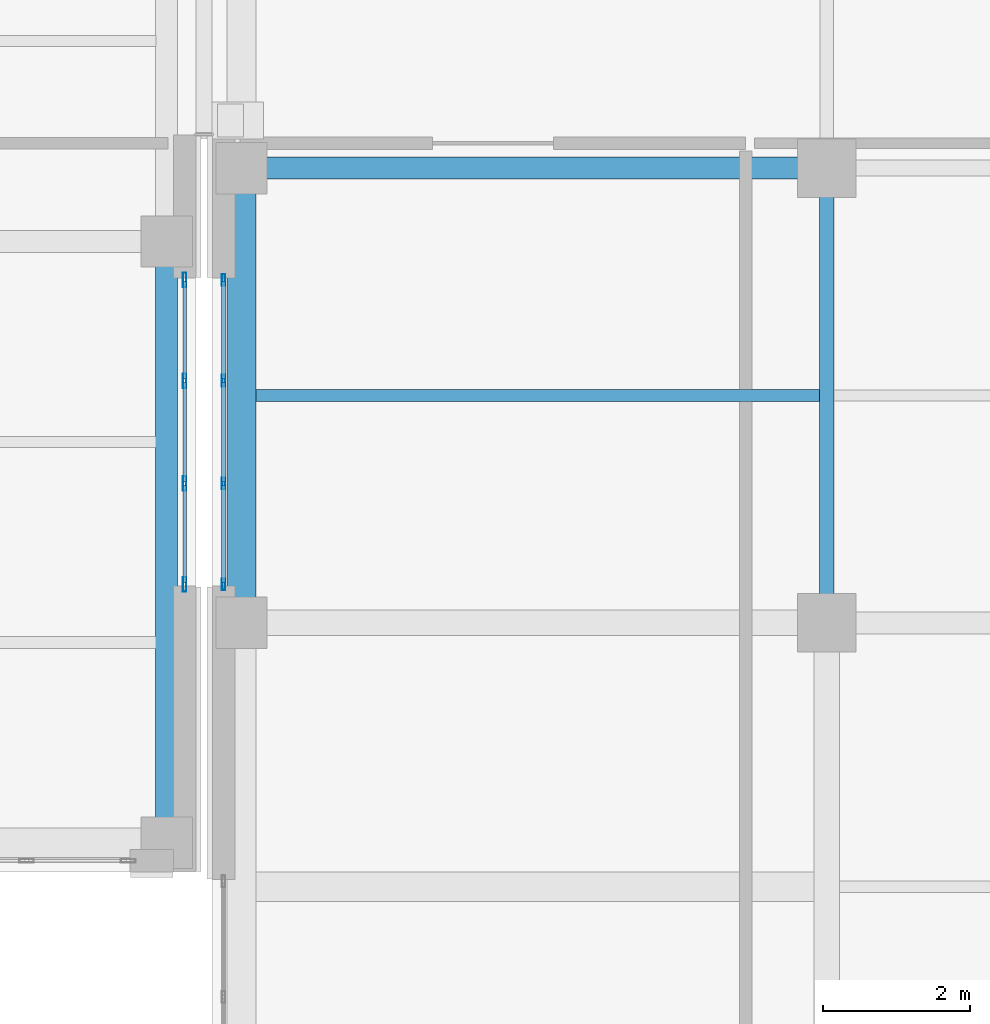
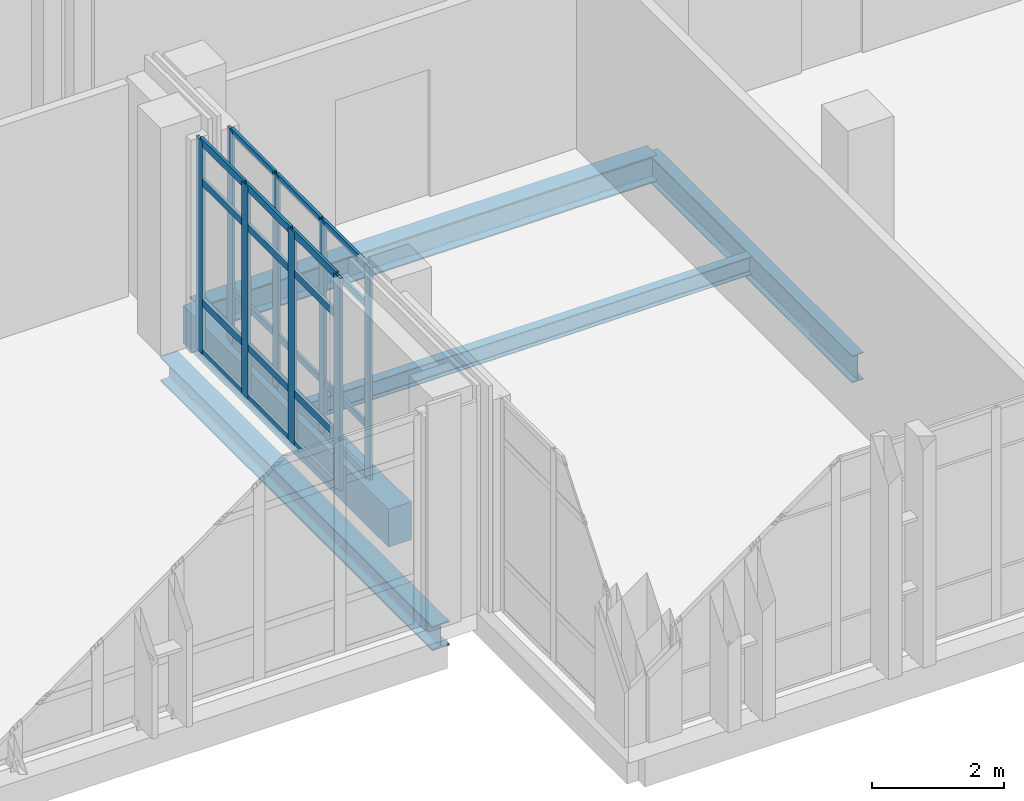
# One storey, part 48 of 193: 32 members, 5 beams, 2 elements without a shape of their own.
"""IFC4 building model written with IfcOpenShell, lengths in metres."""

import ifcopenshell
import ifcopenshell.guid

model = None  # the IFC model being written
_history = None  # IfcOwnerHistory: only IFC2X3 demands one
_inside = {}  # id of a spatial element -> (the spatial element, [elements in it])
_under = {}  # id of a project, library or spatial element -> (it, [spatial elements below it])
_declared = {}  # id of a project -> (the project, [libraries it declares])
_typed = {}  # id of a type object -> (the type object, [elements of that type])
_made_of = {}  # id of a material, layer set ... -> (it, [elements and type objects made of it])


def new_model(schema):
    """Start an empty IFC model of exactly this schema.

    Asked for "IFC4X3", IfcOpenShell would pick the latest addendum, in which some entities
    have other attributes; the version numbers below select the first issue.
    IFC2X3 requires an IfcOwnerHistory on every rooted entity: one is made here for all.
    """
    global model, _history
    if schema == "IFC4X3":
        model = ifcopenshell.file(schema_version=(4, 3, 0, 0))
    else:
        model = ifcopenshell.file(schema=schema)
    _inside.clear()
    _under.clear()
    _declared.clear()
    _typed.clear()
    _made_of.clear()
    _history = None
    if model.schema == "IFC2X3":
        org = make("IfcOrganization", Name="unknown")
        user = make(
            "IfcPersonAndOrganization",
            ThePerson=make("IfcPerson", FamilyName="unknown"),
            TheOrganization=org,
        )
        app = make(
            "IfcApplication",
            ApplicationDeveloper=org,
            Version="unknown",
            ApplicationFullName="unknown",
            ApplicationIdentifier="unknown",
        )
        _history = make(
            "IfcOwnerHistory",
            OwningUser=user,
            OwningApplication=app,
            ChangeAction="ADDED",
            CreationDate=0,
        )
    return model


def make(cls, **values):
    """One entity of the class cls with the attributes given. An attribute that is None is left unset."""
    return model.create_entity(
        cls, **{name: value for name, value in values.items() if value is not None}
    )


def rooted(cls, **values):
    """An entity with a GlobalId (a new one), such as an element, a storey or a relation."""
    return make(cls, GlobalId=ifcopenshell.guid.new(), OwnerHistory=_history, **values)


def si_unit(unit_type, name, prefix=None):
    """IfcSIUnit, for example si_unit("LENGTHUNIT", "METRE", prefix="MILLI")."""
    return make("IfcSIUnit", UnitType=unit_type, Prefix=prefix, Name=name)


def assignment(units):
    """IfcUnitAssignment: the units of a project."""
    return None if units is None else make("IfcUnitAssignment", Units=units)


def point(xyz):
    """IfcCartesianPoint."""
    return None if xyz is None else make("IfcCartesianPoint", Coordinates=xyz)


def direction(xyz):
    """IfcDirection."""
    return None if xyz is None else make("IfcDirection", DirectionRatios=xyz)


def frame(location, z_axis=None, x_axis=None):
    """IfcAxis2Placement3D, a coordinate frame: its origin and axes. An axis left out is left unset."""
    return make(
        "IfcAxis2Placement3D",
        Location=point(location),
        Axis=direction(z_axis),
        RefDirection=direction(x_axis),
    )


def frame_2d(location, x_axis=None):
    """IfcAxis2Placement2D, a coordinate frame in the plane: its origin and x axis."""
    return make(
        "IfcAxis2Placement2D", Location=point(location), RefDirection=direction(x_axis)
    )


def origin():
    """The frame at (0, 0, 0) with its axes left unset."""
    return frame((0.0, 0.0, 0.0))


def origin_2d():
    """The frame at (0, 0) in the plane with its x axis left unset."""
    return frame_2d((0.0, 0.0))


def place(relative_to, where):
    """IfcLocalPlacement: puts the frame where relative to a parent placement (None: the world)."""
    return make(
        "IfcLocalPlacement", PlacementRelTo=relative_to, RelativePlacement=where
    )


def context(
    kind, dimensions, precision=None, world=None, true_north=None, identifier=None
):
    """IfcGeometricRepresentationContext, for example the 3D "Model" context."""
    return make(
        "IfcGeometricRepresentationContext",
        ContextIdentifier=identifier,
        ContextType=kind,
        CoordinateSpaceDimension=dimensions,
        Precision=precision,
        WorldCoordinateSystem=world,
        TrueNorth=true_north,
    )


def subcontext(parent, identifier, kind, view, scale=None):
    """IfcGeometricRepresentationSubContext, for example "Body" below "Model"."""
    return make(
        "IfcGeometricRepresentationSubContext",
        ContextIdentifier=identifier,
        ContextType=kind,
        ParentContext=parent,
        TargetScale=scale,
        TargetView=view,
    )


def project(units=None, contexts=None):
    """IfcProject with its units and contexts."""
    return rooted(
        "IfcProject",
        Name="project",
        RepresentationContexts=contexts,
        UnitsInContext=assignment(units),
    )


def spatial(cls, under=None, at=None, **own):
    """A site, building, storey or space (cls), placed at a placement, below another one or the project."""
    s = rooted(cls, ObjectPlacement=at, **own)
    if under is not None:
        _under.setdefault(under.id(), (under, []))[1].append(s)
    return s


def profile(cls, at=None, kind="AREA", **sizes):
    """A parametric profile (cls). Its sizes go by their IFC names, for example OverallWidth=200.0."""
    return make(cls, ProfileType=kind, Position=at, **sizes)


def rectangle(**sizes):
    """IfcRectangleProfileDef."""
    return profile("IfcRectangleProfileDef", **sizes)


def hollow_rectangle(**sizes):
    """IfcRectangleHollowProfileDef."""
    return profile("IfcRectangleHollowProfileDef", **sizes)


def i_section(**sizes):
    """IfcIShapeProfileDef."""
    return profile("IfcIShapeProfileDef", **sizes)


def extrude(swept, where, along, depth):
    """IfcExtrudedAreaSolid: the profile swept, set in the frame where, extruded along a direction by depth."""
    return make(
        "IfcExtrudedAreaSolid",
        SweptArea=swept,
        Position=where,
        ExtrudedDirection=direction(along),
        Depth=depth,
    )


def shape(context_of_items, identifier, shape_type, items):
    """IfcShapeRepresentation: the items that make up one representation, for example the "Body"."""
    return make(
        "IfcShapeRepresentation",
        ContextOfItems=context_of_items,
        RepresentationIdentifier=identifier,
        RepresentationType=shape_type,
        Items=items,
    )


def material(Name=None, Category=None):
    """IfcMaterial."""
    return make("IfcMaterial", Name=Name, Category=Category)


def layer(
    of_material, thickness, ventilated=None, Name=None, Category=None, Priority=None
):
    """IfcMaterialLayer: one layer of a wall or slab, of a material (None: an air gap)."""
    return make(
        "IfcMaterialLayer",
        Material=of_material,
        LayerThickness=thickness,
        IsVentilated=ventilated,
        Name=Name,
        Category=Category,
        Priority=Priority,
    )


def layer_set(layers, Name=None):
    """IfcMaterialLayerSet."""
    return make("IfcMaterialLayerSet", MaterialLayers=layers, LayerSetName=Name)


def material_profile(
    of_material, cross_section, Name=None, Category=None, Priority=None
):
    """IfcMaterialProfile: a cross section and its material."""
    return make(
        "IfcMaterialProfile",
        Name=Name,
        Material=of_material,
        Profile=cross_section,
        Priority=Priority,
        Category=Category,
    )


def profile_set(profiles, Name=None, composite=None):
    """IfcMaterialProfileSet."""
    return make(
        "IfcMaterialProfileSet",
        Name=Name,
        MaterialProfiles=profiles,
        CompositeProfile=composite,
    )


def made_of(thing, what):
    """Note that an element or type object is made of a material, layer set ...; save() writes the relation."""
    if what is not None:
        _made_of.setdefault(what.id(), (what, []))[1].append(thing)
    return thing


def type_object(cls, material=None, **own):
    """A type object (cls), such as IfcWallType, which elements share."""
    return made_of(rooted(cls, **own), material)


def element(
    cls,
    number,
    at=None,
    inside=None,
    cuts=None,
    type_object=None,
    material=None,
    context=None,
    identifier="Body",
    shape_type=None,
    held_by="IfcProductDefinitionShape",
    body=None,
    shapes=None,
    **own,
):
    """One element of the class cls, such as IfcWall. Its Tag is "e" and its number.

    at: its placement. inside: the storey or other place that contains it. cuts: it is an
    opening in that element (IfcRelVoidsElement). A single representation is given by context,
    identifier, shape_type and body (its items); several are given by shapes. held_by: the class
    of the entity that holds the representations. save() writes the other relations.
    """
    e = rooted(cls, Tag="e%d" % number, ObjectPlacement=at, **own)
    if body is not None:
        shapes = [shape(context, identifier, shape_type, body)]
    if shapes is not None:
        e.Representation = make(held_by, Representations=shapes)
    if inside is not None:
        _inside.setdefault(inside.id(), (inside, []))[1].append(e)
    if cuts is not None:
        rooted(
            "IfcRelVoidsElement", RelatingBuildingElement=cuts, RelatedOpeningElement=e
        )
    if type_object is not None:
        _typed.setdefault(type_object.id(), (type_object, []))[1].append(e)
    return made_of(e, material)


def aggregate(whole, parts):
    """IfcRelAggregates: a whole, such as a stair, and the parts it consists of."""
    return rooted("IfcRelAggregates", RelatingObject=whole, RelatedObjects=parts)


def save(model, path):
    """Write the relations noted so far, then the file.

    IfcRelAggregates (storeys below a building ...), IfcRelContainedInSpatialStructure (elements
    in a storey), IfcRelDefinesByType, IfcRelAssociatesMaterial and IfcRelDeclares: one each for
    every whole, place, type object, material and project.
    """
    for whole, parts in _under.values():
        aggregate(whole, parts)
    for where, things in _inside.values():
        rooted(
            "IfcRelContainedInSpatialStructure",
            RelatedElements=things,
            RelatingStructure=where,
        )
    for kind, things in _typed.values():
        rooted("IfcRelDefinesByType", RelatedObjects=things, RelatingType=kind)
    for what, things in _made_of.values():
        rooted("IfcRelAssociatesMaterial", RelatedObjects=things, RelatingMaterial=what)
    for by, libraries in _declared.values():
        rooted("IfcRelDeclares", RelatingContext=by, RelatedDefinitions=libraries)
    model.write(path)


model = new_model("IFC4")

# Units and contexts
model_context = context("Model", 3, precision=1e-05, world=origin(), true_north=direction((0.0, 1.0)))
body_context = subcontext(model_context, "Body", "Model", "MODEL_VIEW")
ifc_project = project(units=[si_unit("LENGTHUNIT", "METRE"), si_unit("AREAUNIT", "SQUARE_METRE"), si_unit("VOLUMEUNIT", "CUBIC_METRE"), si_unit("PLANEANGLEUNIT", "RADIAN"), si_unit("MASSUNIT", "GRAM", prefix="KILO")], contexts=[model_context])

# Site, building, storey
site_placement = place(None, origin())
site = spatial("IfcSite", under=ifc_project, at=site_placement, CompositionType="ELEMENT")
building_placement = place(site_placement, origin())
building = spatial("IfcBuilding", under=site, at=building_placement, Name="Qalavern Law Courts", CompositionType="ELEMENT")
storey_placement = place(building_placement, frame((0.0, 0.0, 10.199951171875)))
storey = spatial("IfcBuildingStorey", under=building, at=storey_placement, Name="L02", CompositionType="ELEMENT", Elevation=10.199951171875)

# Curtain wall, members
ifc_material_1 = material(Name="Anodised aluminium and insulated glazing", Category="aluminium")
ifc_layer_1 = layer(ifc_material_1, 0.172119140625)
ifc_layer_set_1 = layer_set([ifc_layer_1], Name="Anodised aluminium and insulated glazing")
curtain_wall_type_1 = type_object("IfcCurtainWallType", Name="ENV-CW-COURT", PredefinedType="USERDEFINED", material=ifc_layer_set_1)
curtain_wall_1_placement = place(storey_placement, origin())
curtain_wall_1 = element("IfcCurtainWall", 1, at=curtain_wall_1_placement, inside=storey, type_object=curtain_wall_type_1, Name="V6 unitised curtain wall L02 west 1", ObjectType="UNITISED CURTAIN WALL", PredefinedType="USERDEFINED")
ifc_material_2 = material(Name="Anodised aluminium", Category="aluminium")
ifc_material_profile_1 = material_profile(ifc_material_2, hollow_rectangle(XDim=0.048095703125, YDim=0.159912109375, WallThickness=0.00390625, at=origin_2d()), Name="ALU MULLION 48x160")
ifc_profile_set_1 = profile_set([ifc_material_profile_1], Name="Anodised aluminium")
member_type_1 = type_object("IfcMemberType", Name="ENV-CWM-48x160", PredefinedType="MULLION", material=ifc_profile_set_1)
member_1_placement = place(storey_placement, frame((101.574951171875, 13.27587890625, 0.0), z_axis=(0.0, 0.0, 1.0), x_axis=(1.0, 0.0, 0.0)))
member_1 = element("IfcMember", 2, at=member_1_placement, type_object=member_type_1, Name="CW-03 mullion 1", PredefinedType="MULLION", context=body_context, shape_type="SweptSolid", body=[
    extrude(hollow_rectangle(XDim=0.048095703125, YDim=0.159912109375, WallThickness=0.00390625, at=origin_2d()), origin(), (0.0, 0.0, 1.0), 3.9150390625),
])
member_2_placement = place(storey_placement, frame((101.574951171875, 11.89990234375, 0.0), z_axis=(0.0, 0.0, 1.0), x_axis=(1.0, 0.0, 0.0)))
member_2 = element("IfcMember", 3, at=member_2_placement, type_object=member_type_1, Name="CW-03 mullion 2", PredefinedType="MULLION", context=body_context, shape_type="SweptSolid", body=[
    extrude(hollow_rectangle(XDim=0.048095703125, YDim=0.159912109375, WallThickness=0.00390625, at=origin_2d()), origin(), (0.0, 0.0, 1.0), 3.9150390625),
])
member_3_placement = place(storey_placement, frame((101.574951171875, 10.5, 0.0), z_axis=(0.0, 0.0, 1.0), x_axis=(1.0, 0.0, 0.0)))
member_3 = element("IfcMember", 4, at=member_3_placement, type_object=member_type_1, Name="CW-03 mullion 3", PredefinedType="MULLION", context=body_context, shape_type="SweptSolid", body=[
    extrude(hollow_rectangle(XDim=0.048095703125, YDim=0.159912109375, WallThickness=0.00390625, at=origin_2d()), origin(), (0.0, 0.0, 1.0), 3.9150390625),
])
member_4_placement = place(storey_placement, frame((101.574951171875, 9.1240234375, 0.0), z_axis=(0.0, 0.0, 1.0), x_axis=(1.0, 0.0, 0.0)))
member_4 = element("IfcMember", 5, at=member_4_placement, type_object=member_type_1, Name="CW-03 mullion 4", PredefinedType="MULLION", context=body_context, shape_type="SweptSolid", body=[
    extrude(hollow_rectangle(XDim=0.048095703125, YDim=0.159912109375, WallThickness=0.00390625, at=origin_2d()), origin(), (0.0, 0.0, 1.0), 3.9150390625),
])

ifc_layer_2 = layer(ifc_material_1, 0.18505859375)
ifc_layer_set_2 = layer_set([ifc_layer_2], Name="Anodised aluminium and insulated glazing")
curtain_wall_type_2 = type_object("IfcCurtainWallType", Name="ENV-CW-HALL", PredefinedType="USERDEFINED", material=ifc_layer_set_2)
curtain_wall_2_placement = place(storey_placement, origin())
curtain_wall_2 = element("IfcCurtainWall", 6, at=curtain_wall_2_placement, inside=storey, type_object=curtain_wall_type_2, Name="V2 unitised curtain wall L02 east 1", ObjectType="UNITISED CURTAIN WALL", PredefinedType="USERDEFINED")
ifc_material_profile_2 = material_profile(ifc_material_2, hollow_rectangle(XDim=0.048095703125, YDim=0.199951171875, WallThickness=0.00439453125, at=origin_2d()), Name="ALU MULLION 48x200")
ifc_profile_set_2 = profile_set([ifc_material_profile_2], Name="Anodised aluminium")
member_type_2 = type_object("IfcMemberType", Name="ENV-CWM-48x200", PredefinedType="MULLION", material=ifc_profile_set_2)
member_5_placement = place(storey_placement, frame((101.044921875, 9.1240234375, 0.0), z_axis=(0.0, 0.0, 1.0), x_axis=(-1.0, 0.0, 0.0)))
member_5 = element("IfcMember", 7, at=member_5_placement, type_object=member_type_2, Name="CW-02 mullion 1", PredefinedType="MULLION", context=body_context, shape_type="SweptSolid", body=[
    extrude(hollow_rectangle(XDim=0.048095703125, YDim=0.199951171875, WallThickness=0.00439453125, at=origin_2d()), origin(), (0.0, 0.0, 1.0), 3.9150390625),
])
member_6_placement = place(storey_placement, frame((101.044921875, 10.5, 0.0), z_axis=(0.0, 0.0, 1.0), x_axis=(-1.0, 0.0, 0.0)))
member_6 = element("IfcMember", 8, at=member_6_placement, type_object=member_type_2, Name="CW-02 mullion 2", PredefinedType="MULLION", context=body_context, shape_type="SweptSolid", body=[
    extrude(hollow_rectangle(XDim=0.048095703125, YDim=0.199951171875, WallThickness=0.00439453125, at=origin_2d()), origin(), (0.0, 0.0, 1.0), 3.9150390625),
])
member_7_placement = place(storey_placement, frame((101.044921875, 11.89990234375, 0.0), z_axis=(0.0, 0.0, 1.0), x_axis=(-1.0, 0.0, 0.0)))
member_7 = element("IfcMember", 9, at=member_7_placement, type_object=member_type_2, Name="CW-02 mullion 3", PredefinedType="MULLION", context=body_context, shape_type="SweptSolid", body=[
    extrude(hollow_rectangle(XDim=0.048095703125, YDim=0.199951171875, WallThickness=0.00439453125, at=origin_2d()), origin(), (0.0, 0.0, 1.0), 3.9150390625),
])
member_8_placement = place(storey_placement, frame((101.044921875, 13.27587890625, 0.0), z_axis=(0.0, 0.0, 1.0), x_axis=(-1.0, 0.0, 0.0)))
member_8 = element("IfcMember", 10, at=member_8_placement, type_object=member_type_2, Name="CW-02 mullion 4", PredefinedType="MULLION", context=body_context, shape_type="SweptSolid", body=[
    extrude(hollow_rectangle(XDim=0.048095703125, YDim=0.199951171875, WallThickness=0.00439453125, at=origin_2d()), origin(), (0.0, 0.0, 1.0), 3.9150390625),
])

# Member
ifc_material_profile_3 = material_profile(ifc_material_2, hollow_rectangle(XDim=0.048095703125, YDim=0.1201171875, WallThickness=0.00390625, at=origin_2d()), Name="ALU TRANSOM 48x120")
ifc_profile_set_3 = profile_set([ifc_material_profile_3], Name="Anodised aluminium")
member_type_3 = type_object("IfcMemberType", Name="ENV-CWT-48x120", PredefinedType="USERDEFINED", material=ifc_profile_set_3)
member_9_placement = place(storey_placement, frame((101.574951171875, 13.251953125, 0.024169921875), z_axis=(0.0, -1.0, 0.0), x_axis=(1.0, 0.0, 0.0)))
member_9 = element("IfcMember", 11, at=member_9_placement, type_object=member_type_3, Name="CW-03 transom 1.1", ObjectType="TRANSOM", PredefinedType="USERDEFINED", context=body_context, shape_type="SweptSolid", body=[
    extrude(hollow_rectangle(XDim=0.048095703125, YDim=0.1201171875, WallThickness=0.00390625, at=origin_2d()), origin(), (0.0, 0.0, 1.0), 1.327880859375),
])

member_10_placement = place(storey_placement, frame((101.574951171875, 13.251953125, 0.949951171875), z_axis=(0.0, -1.0, 0.0), x_axis=(1.0, 0.0, 0.0)))
member_10 = element("IfcMember", 12, at=member_10_placement, type_object=member_type_3, Name="CW-03 transom 1.2", ObjectType="TRANSOM", PredefinedType="USERDEFINED", context=body_context, shape_type="SweptSolid", body=[
    extrude(hollow_rectangle(XDim=0.048095703125, YDim=0.1201171875, WallThickness=0.00390625, at=origin_2d()), origin(), (0.0, 0.0, 1.0), 1.327880859375),
])

member_11_placement = place(storey_placement, frame((101.574951171875, 13.251953125, 3.1650390625), z_axis=(0.0, -1.0, 0.0), x_axis=(1.0, 0.0, 0.0)))
member_11 = element("IfcMember", 13, at=member_11_placement, type_object=member_type_3, Name="CW-03 transom 1.3", ObjectType="TRANSOM", PredefinedType="USERDEFINED", context=body_context, shape_type="SweptSolid", body=[
    extrude(hollow_rectangle(XDim=0.048095703125, YDim=0.1201171875, WallThickness=0.00390625, at=origin_2d()), origin(), (0.0, 0.0, 1.0), 1.327880859375),
])

member_12_placement = place(storey_placement, frame((101.574951171875, 13.251953125, 3.89111328125), z_axis=(0.0, -1.0, 0.0), x_axis=(1.0, 0.0, 0.0)))
member_12 = element("IfcMember", 14, at=member_12_placement, type_object=member_type_3, Name="CW-03 transom 1.4", ObjectType="TRANSOM", PredefinedType="USERDEFINED", context=body_context, shape_type="SweptSolid", body=[
    extrude(hollow_rectangle(XDim=0.048095703125, YDim=0.1201171875, WallThickness=0.00390625, at=origin_2d()), origin(), (0.0, 0.0, 1.0), 1.327880859375),
])

member_13_placement = place(storey_placement, frame((101.574951171875, 11.8759765625, 0.024169921875), z_axis=(0.0, -1.0, 0.0), x_axis=(1.0, 0.0, 0.0)))
member_13 = element("IfcMember", 15, at=member_13_placement, type_object=member_type_3, Name="CW-03 transom 2.1", ObjectType="TRANSOM", PredefinedType="USERDEFINED", context=body_context, shape_type="SweptSolid", body=[
    extrude(hollow_rectangle(XDim=0.048095703125, YDim=0.1201171875, WallThickness=0.00390625, at=origin_2d()), origin(), (0.0, 0.0, 1.0), 1.35205078125),
])

member_14_placement = place(storey_placement, frame((101.574951171875, 11.8759765625, 0.949951171875), z_axis=(0.0, -1.0, 0.0), x_axis=(1.0, 0.0, 0.0)))
member_14 = element("IfcMember", 16, at=member_14_placement, type_object=member_type_3, Name="CW-03 transom 2.2", ObjectType="TRANSOM", PredefinedType="USERDEFINED", context=body_context, shape_type="SweptSolid", body=[
    extrude(hollow_rectangle(XDim=0.048095703125, YDim=0.1201171875, WallThickness=0.00390625, at=origin_2d()), origin(), (0.0, 0.0, 1.0), 1.35205078125),
])

member_15_placement = place(storey_placement, frame((101.574951171875, 11.8759765625, 3.1650390625), z_axis=(0.0, -1.0, 0.0), x_axis=(1.0, 0.0, 0.0)))
member_15 = element("IfcMember", 17, at=member_15_placement, type_object=member_type_3, Name="CW-03 transom 2.3", ObjectType="TRANSOM", PredefinedType="USERDEFINED", context=body_context, shape_type="SweptSolid", body=[
    extrude(hollow_rectangle(XDim=0.048095703125, YDim=0.1201171875, WallThickness=0.00390625, at=origin_2d()), origin(), (0.0, 0.0, 1.0), 1.35205078125),
])

member_16_placement = place(storey_placement, frame((101.574951171875, 11.8759765625, 3.89111328125), z_axis=(0.0, -1.0, 0.0), x_axis=(1.0, 0.0, 0.0)))
member_16 = element("IfcMember", 18, at=member_16_placement, type_object=member_type_3, Name="CW-03 transom 2.4", ObjectType="TRANSOM", PredefinedType="USERDEFINED", context=body_context, shape_type="SweptSolid", body=[
    extrude(hollow_rectangle(XDim=0.048095703125, YDim=0.1201171875, WallThickness=0.00390625, at=origin_2d()), origin(), (0.0, 0.0, 1.0), 1.35205078125),
])

member_17_placement = place(storey_placement, frame((101.574951171875, 10.47607421875, 0.024169921875), z_axis=(0.0, -1.0, 0.0), x_axis=(1.0, 0.0, 0.0)))
member_17 = element("IfcMember", 19, at=member_17_placement, type_object=member_type_3, Name="CW-03 transom 3.1", ObjectType="TRANSOM", PredefinedType="USERDEFINED", context=body_context, shape_type="SweptSolid", body=[
    extrude(hollow_rectangle(XDim=0.048095703125, YDim=0.1201171875, WallThickness=0.00390625, at=origin_2d()), origin(), (0.0, 0.0, 1.0), 1.328125),
])

member_18_placement = place(storey_placement, frame((101.574951171875, 10.47607421875, 0.949951171875), z_axis=(0.0, -1.0, 0.0), x_axis=(1.0, 0.0, 0.0)))
member_18 = element("IfcMember", 20, at=member_18_placement, type_object=member_type_3, Name="CW-03 transom 3.2", ObjectType="TRANSOM", PredefinedType="USERDEFINED", context=body_context, shape_type="SweptSolid", body=[
    extrude(hollow_rectangle(XDim=0.048095703125, YDim=0.1201171875, WallThickness=0.00390625, at=origin_2d()), origin(), (0.0, 0.0, 1.0), 1.328125),
])

member_19_placement = place(storey_placement, frame((101.574951171875, 10.47607421875, 3.1650390625), z_axis=(0.0, -1.0, 0.0), x_axis=(1.0, 0.0, 0.0)))
member_19 = element("IfcMember", 21, at=member_19_placement, type_object=member_type_3, Name="CW-03 transom 3.3", ObjectType="TRANSOM", PredefinedType="USERDEFINED", context=body_context, shape_type="SweptSolid", body=[
    extrude(hollow_rectangle(XDim=0.048095703125, YDim=0.1201171875, WallThickness=0.00390625, at=origin_2d()), origin(), (0.0, 0.0, 1.0), 1.328125),
])

member_20_placement = place(storey_placement, frame((101.574951171875, 10.47607421875, 3.89111328125), z_axis=(0.0, -1.0, 0.0), x_axis=(1.0, 0.0, 0.0)))
member_20 = element("IfcMember", 22, at=member_20_placement, type_object=member_type_3, Name="CW-03 transom 3.4", ObjectType="TRANSOM", PredefinedType="USERDEFINED", context=body_context, shape_type="SweptSolid", body=[
    extrude(hollow_rectangle(XDim=0.048095703125, YDim=0.1201171875, WallThickness=0.00390625, at=origin_2d()), origin(), (0.0, 0.0, 1.0), 1.328125),
])

aggregate(curtain_wall_1, [member_1, member_2, member_3, member_4, member_9, member_10, member_11, member_12, member_13, member_14, member_15, member_16, member_17, member_18, member_19, member_20])

ifc_material_profile_4 = material_profile(ifc_material_2, hollow_rectangle(XDim=0.048095703125, YDim=0.139892578125, WallThickness=0.00390625, at=origin_2d()), Name="ALU TRANSOM 48x140")
ifc_profile_set_4 = profile_set([ifc_material_profile_4], Name="Anodised aluminium")
member_type_4 = type_object("IfcMemberType", Name="ENV-CWT-48x140", PredefinedType="USERDEFINED", material=ifc_profile_set_4)
member_21_placement = place(storey_placement, frame((101.044921875, 9.14794921875, 0.024169921875), z_axis=(0.0, 1.0, 0.0), x_axis=(-1.0, 0.0, 0.0)))
member_21 = element("IfcMember", 23, at=member_21_placement, type_object=member_type_4, Name="CW-02 transom 1.1", ObjectType="TRANSOM", PredefinedType="USERDEFINED", context=body_context, shape_type="SweptSolid", body=[
    extrude(hollow_rectangle(XDim=0.048095703125, YDim=0.139892578125, WallThickness=0.00390625, at=origin_2d()), origin(), (0.0, 0.0, 1.0), 1.328125),
])

member_22_placement = place(storey_placement, frame((101.044921875, 9.14794921875, 0.949951171875), z_axis=(0.0, 1.0, 0.0), x_axis=(-1.0, 0.0, 0.0)))
member_22 = element("IfcMember", 24, at=member_22_placement, type_object=member_type_4, Name="CW-02 transom 1.2", ObjectType="TRANSOM", PredefinedType="USERDEFINED", context=body_context, shape_type="SweptSolid", body=[
    extrude(hollow_rectangle(XDim=0.048095703125, YDim=0.139892578125, WallThickness=0.00390625, at=origin_2d()), origin(), (0.0, 0.0, 1.0), 1.328125),
])

member_23_placement = place(storey_placement, frame((101.044921875, 9.14794921875, 3.1650390625), z_axis=(0.0, 1.0, 0.0), x_axis=(-1.0, 0.0, 0.0)))
member_23 = element("IfcMember", 25, at=member_23_placement, type_object=member_type_4, Name="CW-02 transom 1.3", ObjectType="TRANSOM", PredefinedType="USERDEFINED", context=body_context, shape_type="SweptSolid", body=[
    extrude(hollow_rectangle(XDim=0.048095703125, YDim=0.139892578125, WallThickness=0.00390625, at=origin_2d()), origin(), (0.0, 0.0, 1.0), 1.328125),
])

member_24_placement = place(storey_placement, frame((101.044921875, 9.14794921875, 3.89111328125), z_axis=(0.0, 1.0, 0.0), x_axis=(-1.0, 0.0, 0.0)))
member_24 = element("IfcMember", 26, at=member_24_placement, type_object=member_type_4, Name="CW-02 transom 1.4", ObjectType="TRANSOM", PredefinedType="USERDEFINED", context=body_context, shape_type="SweptSolid", body=[
    extrude(hollow_rectangle(XDim=0.048095703125, YDim=0.139892578125, WallThickness=0.00390625, at=origin_2d()), origin(), (0.0, 0.0, 1.0), 1.328125),
])

member_25_placement = place(storey_placement, frame((101.044921875, 10.52392578125, 0.024169921875), z_axis=(0.0, 1.0, 0.0), x_axis=(-1.0, 0.0, 0.0)))
member_25 = element("IfcMember", 27, at=member_25_placement, type_object=member_type_4, Name="CW-02 transom 2.1", ObjectType="TRANSOM", PredefinedType="USERDEFINED", context=body_context, shape_type="SweptSolid", body=[
    extrude(hollow_rectangle(XDim=0.048095703125, YDim=0.139892578125, WallThickness=0.00390625, at=origin_2d()), origin(), (0.0, 0.0, 1.0), 1.35205078125),
])

member_26_placement = place(storey_placement, frame((101.044921875, 10.52392578125, 0.949951171875), z_axis=(0.0, 1.0, 0.0), x_axis=(-1.0, 0.0, 0.0)))
member_26 = element("IfcMember", 28, at=member_26_placement, type_object=member_type_4, Name="CW-02 transom 2.2", ObjectType="TRANSOM", PredefinedType="USERDEFINED", context=body_context, shape_type="SweptSolid", body=[
    extrude(hollow_rectangle(XDim=0.048095703125, YDim=0.139892578125, WallThickness=0.00390625, at=origin_2d()), origin(), (0.0, 0.0, 1.0), 1.35205078125),
])

member_27_placement = place(storey_placement, frame((101.044921875, 10.52392578125, 3.1650390625), z_axis=(0.0, 1.0, 0.0), x_axis=(-1.0, 0.0, 0.0)))
member_27 = element("IfcMember", 29, at=member_27_placement, type_object=member_type_4, Name="CW-02 transom 2.3", ObjectType="TRANSOM", PredefinedType="USERDEFINED", context=body_context, shape_type="SweptSolid", body=[
    extrude(hollow_rectangle(XDim=0.048095703125, YDim=0.139892578125, WallThickness=0.00390625, at=origin_2d()), origin(), (0.0, 0.0, 1.0), 1.35205078125),
])

member_28_placement = place(storey_placement, frame((101.044921875, 10.52392578125, 3.89111328125), z_axis=(0.0, 1.0, 0.0), x_axis=(-1.0, 0.0, 0.0)))
member_28 = element("IfcMember", 30, at=member_28_placement, type_object=member_type_4, Name="CW-02 transom 2.4", ObjectType="TRANSOM", PredefinedType="USERDEFINED", context=body_context, shape_type="SweptSolid", body=[
    extrude(hollow_rectangle(XDim=0.048095703125, YDim=0.139892578125, WallThickness=0.00390625, at=origin_2d()), origin(), (0.0, 0.0, 1.0), 1.35205078125),
])

member_29_placement = place(storey_placement, frame((101.044921875, 11.924072265625, 0.024169921875), z_axis=(0.0, 1.0, 0.0), x_axis=(-1.0, 0.0, 0.0)))
member_29 = element("IfcMember", 31, at=member_29_placement, type_object=member_type_4, Name="CW-02 transom 3.1", ObjectType="TRANSOM", PredefinedType="USERDEFINED", context=body_context, shape_type="SweptSolid", body=[
    extrude(hollow_rectangle(XDim=0.048095703125, YDim=0.139892578125, WallThickness=0.00390625, at=origin_2d()), origin(), (0.0, 0.0, 1.0), 1.327880859375),
])

member_30_placement = place(storey_placement, frame((101.044921875, 11.924072265625, 0.949951171875), z_axis=(0.0, 1.0, 0.0), x_axis=(-1.0, 0.0, 0.0)))
member_30 = element("IfcMember", 32, at=member_30_placement, type_object=member_type_4, Name="CW-02 transom 3.2", ObjectType="TRANSOM", PredefinedType="USERDEFINED", context=body_context, shape_type="SweptSolid", body=[
    extrude(hollow_rectangle(XDim=0.048095703125, YDim=0.139892578125, WallThickness=0.00390625, at=origin_2d()), origin(), (0.0, 0.0, 1.0), 1.327880859375),
])

member_31_placement = place(storey_placement, frame((101.044921875, 11.924072265625, 3.1650390625), z_axis=(0.0, 1.0, 0.0), x_axis=(-1.0, 0.0, 0.0)))
member_31 = element("IfcMember", 33, at=member_31_placement, type_object=member_type_4, Name="CW-02 transom 3.3", ObjectType="TRANSOM", PredefinedType="USERDEFINED", context=body_context, shape_type="SweptSolid", body=[
    extrude(hollow_rectangle(XDim=0.048095703125, YDim=0.139892578125, WallThickness=0.00390625, at=origin_2d()), origin(), (0.0, 0.0, 1.0), 1.327880859375),
])

member_32_placement = place(storey_placement, frame((101.044921875, 11.924072265625, 3.89111328125), z_axis=(0.0, 1.0, 0.0), x_axis=(-1.0, 0.0, 0.0)))
member_32 = element("IfcMember", 34, at=member_32_placement, type_object=member_type_4, Name="CW-02 transom 3.4", ObjectType="TRANSOM", PredefinedType="USERDEFINED", context=body_context, shape_type="SweptSolid", body=[
    extrude(hollow_rectangle(XDim=0.048095703125, YDim=0.139892578125, WallThickness=0.00390625, at=origin_2d()), origin(), (0.0, 0.0, 1.0), 1.327880859375),
])

aggregate(curtain_wall_2, [member_5, member_6, member_7, member_8, member_21, member_22, member_23, member_24, member_25, member_26, member_27, member_28, member_29, member_30, member_31, member_32])

# Beams
ifc_material_3 = material(Name="Steel S355", Category="steel")
ifc_material_profile_5 = material_profile(ifc_material_3, i_section(OverallWidth=0.300048828125, OverallDepth=0.489990234375, WebThickness=0.011962890625, FlangeThickness=0.02294921875, FilletRadius=0.027099609375, at=origin_2d()), Name="HEA 500")
ifc_profile_set_5 = profile_set([ifc_material_profile_5], Name="Steel S355")
beam_type_1 = type_object("IfcBeamType", Name="STR-BM-HEA500", PredefinedType="BEAM", material=ifc_profile_set_5)
beam_1_placement = place(storey_placement, frame((101.820068359375, 14.800048828125, -0.534912109375), z_axis=(1.0, 0.0, 0.0), x_axis=(0.0, 1.0, 0.0)))
element("IfcBeam", 35, at=beam_1_placement, inside=storey, type_object=beam_type_1, Name="V6 X-beam 3-1 L02", PredefinedType="BEAM", context=body_context, shape_type="SweptSolid", body=[
    extrude(i_section(OverallWidth=0.300048828125, OverallDepth=0.489990234375, WebThickness=0.011962890625, FlangeThickness=0.02294921875, FilletRadius=0.027099609375, at=origin_2d()), origin(), (0.0, 0.0, 1.0), 7.97998046875),
])
ifc_material_profile_6 = material_profile(ifc_material_3, i_section(OverallWidth=0.199951171875, OverallDepth=0.5, WebThickness=0.01025390625, FlangeThickness=0.01611328125, FilletRadius=0.02099609375, at=origin_2d()), Name="IPE 500")
ifc_profile_set_6 = profile_set([ifc_material_profile_6], Name="Steel S355")
beam_type_2 = type_object("IfcBeamType", Name="STR-BM-IPE500", PredefinedType="BEAM", material=ifc_profile_set_6)
beam_2_placement = place(storey_placement, frame((109.800048828125, 8.60009765625, -0.5400390625), z_axis=(0.0, 1.0, 0.0), x_axis=(-1.0, 0.0, 0.0)))
element("IfcBeam", 36, at=beam_2_placement, inside=storey, type_object=beam_type_2, Name="V6 Y-beam 2-2 L02", PredefinedType="BEAM", context=body_context, shape_type="SweptSolid", body=[
    extrude(i_section(OverallWidth=0.199951171875, OverallDepth=0.5, WebThickness=0.01025390625, FlangeThickness=0.01611328125, FilletRadius=0.02099609375, at=origin_2d()), origin(), (0.0, 0.0, 1.0), 6.199951171875),
])
ifc_material_profile_7 = material_profile(ifc_material_3, i_section(OverallWidth=0.159912109375, OverallDepth=0.330078125, WebThickness=0.007568359375, FlangeThickness=0.011474609375, FilletRadius=0.01806640625, at=origin_2d()), Name="IPE 330")
ifc_profile_set_7 = profile_set([ifc_material_profile_7], Name="Steel S355")
beam_type_3 = type_object("IfcBeamType", Name="STR-JST-IPE330", PredefinedType="JOIST", material=ifc_profile_set_7)
beam_3_placement = place(storey_placement, frame((102.01806640625, 11.699951171875, -0.454833984375), z_axis=(1.0, 0.0, 0.0), x_axis=(0.0, 1.0, 0.0)))
element("IfcBeam", 37, at=beam_3_placement, inside=storey, type_object=beam_type_3, Name="V6 secondary joist 1.2.1 L02", PredefinedType="JOIST", context=body_context, shape_type="SweptSolid", body=[
    extrude(i_section(OverallWidth=0.159912109375, OverallDepth=0.330078125, WebThickness=0.007568359375, FlangeThickness=0.011474609375, FilletRadius=0.01806640625, at=origin_2d()), origin(), (0.0, 0.0, 1.0), 7.683837890625),
])
ifc_material_profile_8 = material_profile(ifc_material_3, i_section(OverallWidth=0.300048828125, OverallDepth=0.449951171875, WebThickness=0.013916015625, FlangeThickness=0.02587890625, FilletRadius=0.027099609375, at=origin_2d()), Name="HEB 450")
ifc_profile_set_8 = profile_set([ifc_material_profile_8], Name="Steel S355")
beam_type_4 = type_object("IfcBeamType", Name="STR-SP-HEB450", PredefinedType="SPANDREL", material=ifc_profile_set_8)
beam_4_placement = place(storey_placement, frame((100.800048828125, 5.60009765625, -0.514892578125), z_axis=(0.0, 1.0, 0.0), x_axis=(-1.0, 0.0, 0.0)))
element("IfcBeam", 38, at=beam_4_placement, inside=storey, type_object=beam_type_4, Name="V2 Y-beam 8-1 L02", PredefinedType="SPANDREL", context=body_context, shape_type="SweptSolid", body=[
    extrude(i_section(OverallWidth=0.300048828125, OverallDepth=0.449951171875, WebThickness=0.013916015625, FlangeThickness=0.02587890625, FilletRadius=0.027099609375, at=origin_2d()), origin(), (0.0, 0.0, 1.0), 8.199951171875),
])
ifc_material_4 = material(Name="Concrete C40/50", Category="concrete")
ifc_material_profile_9 = material_profile(ifc_material_4, rectangle(XDim=0.39990234375, YDim=0.699951171875, at=origin_2d()), Name="RC 400x700")
ifc_profile_set_9 = profile_set([ifc_material_profile_9], Name="Concrete C40/50")
beam_type_5 = type_object("IfcBeamType", Name="STR-SP-RC400x700", PredefinedType="SPANDREL", material=ifc_profile_set_9)
beam_5_placement = place(storey_placement, frame((101.820068359375, 8.60009765625, -0.639892578125), z_axis=(0.0, 1.0, 0.0), x_axis=(-1.0, 0.0, 0.0)))
element("IfcBeam", 39, at=beam_5_placement, inside=storey, type_object=beam_type_5, Name="V6 Y-beam 1-2 L02", PredefinedType="SPANDREL", context=body_context, shape_type="SweptSolid", body=[
    extrude(rectangle(XDim=0.39990234375, YDim=0.699951171875, at=origin_2d()), origin(), (0.0, 0.0, 1.0), 6.199951171875),
])

save(model, "model.ifc")
